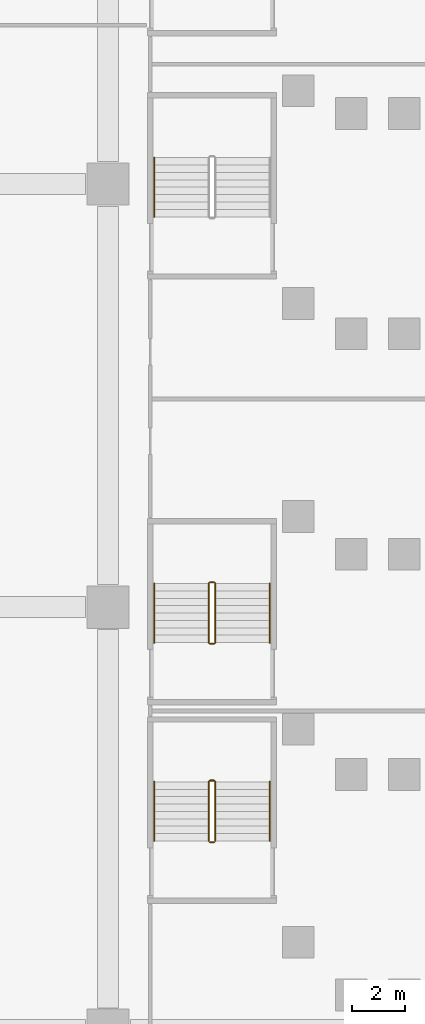
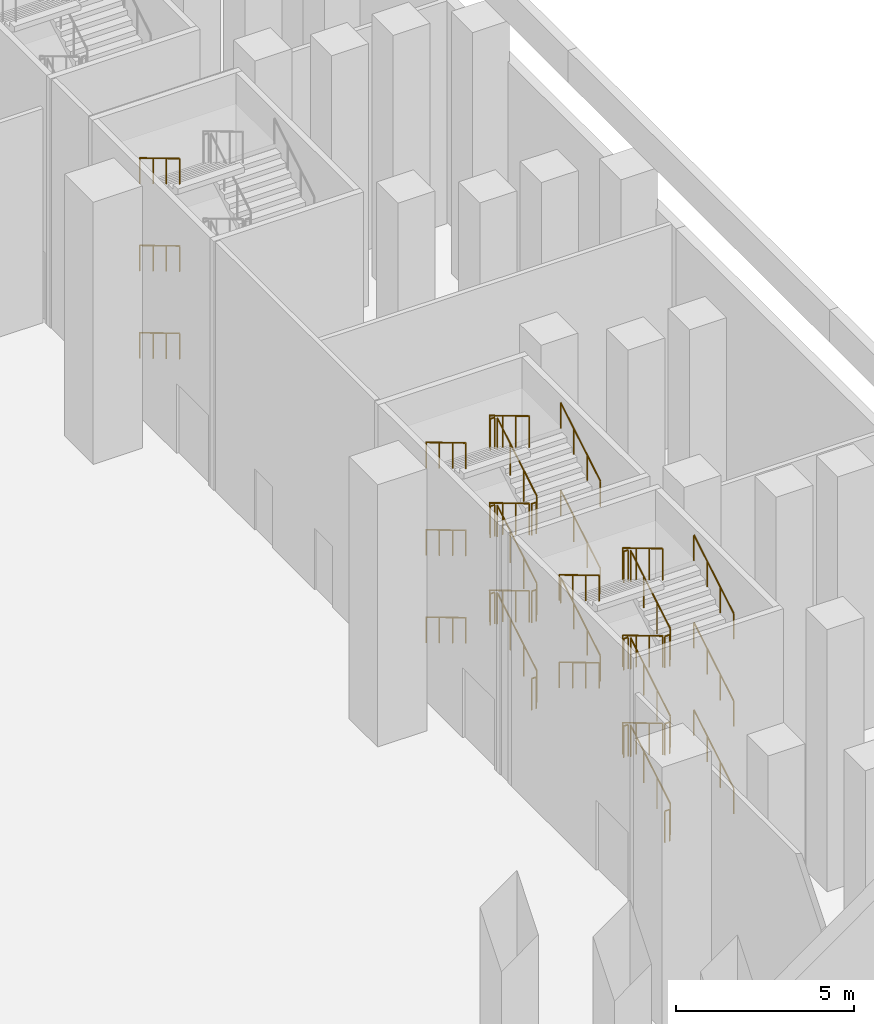
# One storey, part 21 of 25: 38 railings.
"""IFC4 building model written with IfcOpenShell, lengths in metres."""

import ifcopenshell
import ifcopenshell.guid

model = None  # the IFC model being written
_history = None  # IfcOwnerHistory: only IFC2X3 demands one
_inside = {}  # id of a spatial element -> (the spatial element, [elements in it])
_under = {}  # id of a project, library or spatial element -> (it, [spatial elements below it])
_declared = {}  # id of a project -> (the project, [libraries it declares])
_typed = {}  # id of a type object -> (the type object, [elements of that type])
_made_of = {}  # id of a material, layer set ... -> (it, [elements and type objects made of it])


def new_model(schema):
    """Start an empty IFC model of exactly this schema.

    Asked for "IFC4X3", IfcOpenShell would pick the latest addendum, in which some entities
    have other attributes; the version numbers below select the first issue.
    IFC2X3 requires an IfcOwnerHistory on every rooted entity: one is made here for all.
    """
    global model, _history
    if schema == "IFC4X3":
        model = ifcopenshell.file(schema_version=(4, 3, 0, 0))
    else:
        model = ifcopenshell.file(schema=schema)
    _inside.clear()
    _under.clear()
    _declared.clear()
    _typed.clear()
    _made_of.clear()
    _history = None
    if model.schema == "IFC2X3":
        org = make("IfcOrganization", Name="unknown")
        user = make(
            "IfcPersonAndOrganization",
            ThePerson=make("IfcPerson", FamilyName="unknown"),
            TheOrganization=org,
        )
        app = make(
            "IfcApplication",
            ApplicationDeveloper=org,
            Version="unknown",
            ApplicationFullName="unknown",
            ApplicationIdentifier="unknown",
        )
        _history = make(
            "IfcOwnerHistory",
            OwningUser=user,
            OwningApplication=app,
            ChangeAction="ADDED",
            CreationDate=0,
        )
    return model


def make(cls, **values):
    """One entity of the class cls with the attributes given. An attribute that is None is left unset."""
    return model.create_entity(
        cls, **{name: value for name, value in values.items() if value is not None}
    )


def rooted(cls, **values):
    """An entity with a GlobalId (a new one), such as an element, a storey or a relation."""
    return make(cls, GlobalId=ifcopenshell.guid.new(), OwnerHistory=_history, **values)


def si_unit(unit_type, name, prefix=None):
    """IfcSIUnit, for example si_unit("LENGTHUNIT", "METRE", prefix="MILLI")."""
    return make("IfcSIUnit", UnitType=unit_type, Prefix=prefix, Name=name)


def assignment(units):
    """IfcUnitAssignment: the units of a project."""
    return None if units is None else make("IfcUnitAssignment", Units=units)


def point(xyz):
    """IfcCartesianPoint."""
    return None if xyz is None else make("IfcCartesianPoint", Coordinates=xyz)


def direction(xyz):
    """IfcDirection."""
    return None if xyz is None else make("IfcDirection", DirectionRatios=xyz)


def frame(location, z_axis=None, x_axis=None):
    """IfcAxis2Placement3D, a coordinate frame: its origin and axes. An axis left out is left unset."""
    return make(
        "IfcAxis2Placement3D",
        Location=point(location),
        Axis=direction(z_axis),
        RefDirection=direction(x_axis),
    )


def frame_2d(location, x_axis=None):
    """IfcAxis2Placement2D, a coordinate frame in the plane: its origin and x axis."""
    return make(
        "IfcAxis2Placement2D", Location=point(location), RefDirection=direction(x_axis)
    )


def origin():
    """The frame at (0, 0, 0) with its axes left unset."""
    return frame((0.0, 0.0, 0.0))


def origin_2d():
    """The frame at (0, 0) in the plane with its x axis left unset."""
    return frame_2d((0.0, 0.0))


def place(relative_to, where):
    """IfcLocalPlacement: puts the frame where relative to a parent placement (None: the world)."""
    return make(
        "IfcLocalPlacement", PlacementRelTo=relative_to, RelativePlacement=where
    )


def context(
    kind, dimensions, precision=None, world=None, true_north=None, identifier=None
):
    """IfcGeometricRepresentationContext, for example the 3D "Model" context."""
    return make(
        "IfcGeometricRepresentationContext",
        ContextIdentifier=identifier,
        ContextType=kind,
        CoordinateSpaceDimension=dimensions,
        Precision=precision,
        WorldCoordinateSystem=world,
        TrueNorth=true_north,
    )


def subcontext(parent, identifier, kind, view, scale=None):
    """IfcGeometricRepresentationSubContext, for example "Body" below "Model"."""
    return make(
        "IfcGeometricRepresentationSubContext",
        ContextIdentifier=identifier,
        ContextType=kind,
        ParentContext=parent,
        TargetScale=scale,
        TargetView=view,
    )


def project(units=None, contexts=None):
    """IfcProject with its units and contexts."""
    return rooted(
        "IfcProject",
        Name="project",
        RepresentationContexts=contexts,
        UnitsInContext=assignment(units),
    )


def spatial(cls, under=None, at=None, **own):
    """A site, building, storey or space (cls), placed at a placement, below another one or the project."""
    s = rooted(cls, ObjectPlacement=at, **own)
    if under is not None:
        _under.setdefault(under.id(), (under, []))[1].append(s)
    return s


def profile(cls, at=None, kind="AREA", **sizes):
    """A parametric profile (cls). Its sizes go by their IFC names, for example OverallWidth=200.0."""
    return make(cls, ProfileType=kind, Position=at, **sizes)


def circle(**sizes):
    """IfcCircleProfileDef."""
    return profile("IfcCircleProfileDef", **sizes)


def extrude(swept, where, along, depth):
    """IfcExtrudedAreaSolid: the profile swept, set in the frame where, extruded along a direction by depth."""
    return make(
        "IfcExtrudedAreaSolid",
        SweptArea=swept,
        Position=where,
        ExtrudedDirection=direction(along),
        Depth=depth,
    )


def shape(context_of_items, identifier, shape_type, items):
    """IfcShapeRepresentation: the items that make up one representation, for example the "Body"."""
    return make(
        "IfcShapeRepresentation",
        ContextOfItems=context_of_items,
        RepresentationIdentifier=identifier,
        RepresentationType=shape_type,
        Items=items,
    )


def material(Name=None, Category=None):
    """IfcMaterial."""
    return make("IfcMaterial", Name=Name, Category=Category)


def made_of(thing, what):
    """Note that an element or type object is made of a material, layer set ...; save() writes the relation."""
    if what is not None:
        _made_of.setdefault(what.id(), (what, []))[1].append(thing)
    return thing


def type_object(cls, material=None, **own):
    """A type object (cls), such as IfcWallType, which elements share."""
    return made_of(rooted(cls, **own), material)


def element(
    cls,
    number,
    at=None,
    inside=None,
    cuts=None,
    type_object=None,
    material=None,
    context=None,
    identifier="Body",
    shape_type=None,
    held_by="IfcProductDefinitionShape",
    body=None,
    shapes=None,
    **own,
):
    """One element of the class cls, such as IfcWall. Its Tag is "e" and its number.

    at: its placement. inside: the storey or other place that contains it. cuts: it is an
    opening in that element (IfcRelVoidsElement). A single representation is given by context,
    identifier, shape_type and body (its items); several are given by shapes. held_by: the class
    of the entity that holds the representations. save() writes the other relations.
    """
    e = rooted(cls, Tag="e%d" % number, ObjectPlacement=at, **own)
    if body is not None:
        shapes = [shape(context, identifier, shape_type, body)]
    if shapes is not None:
        e.Representation = make(held_by, Representations=shapes)
    if inside is not None:
        _inside.setdefault(inside.id(), (inside, []))[1].append(e)
    if cuts is not None:
        rooted(
            "IfcRelVoidsElement", RelatingBuildingElement=cuts, RelatedOpeningElement=e
        )
    if type_object is not None:
        _typed.setdefault(type_object.id(), (type_object, []))[1].append(e)
    return made_of(e, material)


def aggregate(whole, parts):
    """IfcRelAggregates: a whole, such as a stair, and the parts it consists of."""
    return rooted("IfcRelAggregates", RelatingObject=whole, RelatedObjects=parts)


def save(model, path):
    """Write the relations noted so far, then the file.

    IfcRelAggregates (storeys below a building ...), IfcRelContainedInSpatialStructure (elements
    in a storey), IfcRelDefinesByType, IfcRelAssociatesMaterial and IfcRelDeclares: one each for
    every whole, place, type object, material and project.
    """
    for whole, parts in _under.values():
        aggregate(whole, parts)
    for where, things in _inside.values():
        rooted(
            "IfcRelContainedInSpatialStructure",
            RelatedElements=things,
            RelatingStructure=where,
        )
    for kind, things in _typed.values():
        rooted("IfcRelDefinesByType", RelatedObjects=things, RelatingType=kind)
    for what, things in _made_of.values():
        rooted("IfcRelAssociatesMaterial", RelatedObjects=things, RelatingMaterial=what)
    for by, libraries in _declared.values():
        rooted("IfcRelDeclares", RelatingContext=by, RelatedDefinitions=libraries)
    model.write(path)


model = new_model("IFC4")

# Units and contexts
model_context = context("Model", 3, precision=1e-05, world=origin(), true_north=direction((0.0, 1.0)))
body_context = subcontext(model_context, "Body", "Model", "MODEL_VIEW")
ifc_project = project(units=[si_unit("LENGTHUNIT", "METRE"), si_unit("AREAUNIT", "SQUARE_METRE"), si_unit("VOLUMEUNIT", "CUBIC_METRE"), si_unit("PLANEANGLEUNIT", "RADIAN"), si_unit("MASSUNIT", "GRAM", prefix="KILO")], contexts=[model_context])

# Site, building, storey
site_placement = place(None, origin())
site = spatial("IfcSite", under=ifc_project, at=site_placement, CompositionType="ELEMENT")
building_placement = place(site_placement, origin())
building = spatial("IfcBuilding", under=site, at=building_placement, Name="Calabash Gate Tower", CompositionType="ELEMENT")
storey_placement = place(building_placement, frame((0.0, 0.0, 20.0)))
storey = spatial("IfcBuildingStorey", under=building, at=storey_placement, Name="L02", CompositionType="ELEMENT", Elevation=20.0)

# Railings
ifc_material_1 = material(Name="Black powder-coated steel balusters", Category="steel")
railing_type_1 = type_object("IfcRailingType", Name="Stair guard RL1100", PredefinedType="GUARDRAIL", material=ifc_material_1)
railing_1_placement = place(storey_placement, frame((36.06005859375, -32.840087890625, 0.166748046875)))
element("IfcRailing", 1, at=railing_1_placement, inside=storey, type_object=railing_type_1, Name="L02 PS6 stair guard 1", PredefinedType="GUARDRAIL", context=body_context, shape_type="SweptSolid", body=[
    extrude(circle(Radius=0.02392578125, at=origin_2d()), frame((0.0, 0.0, 1.076171875), z_axis=(0.0, 0.8585185817, 0.512782453753), x_axis=(-1.0, 0.0, 0.0)), (0.0, 0.0, 1.0), 2.60009765625),
    extrude(circle(Radius=0.02099609375, at=origin_2d()), origin(), (0.0, 0.0, 1.0), 1.052001953125),
    extrude(circle(Radius=0.02099609375, at=origin_2d()), frame((0.0, 0.744140625, 0.4443359375)), (0.0, 0.0, 1.0), 1.052001953125),
    extrude(circle(Radius=0.02099609375, at=origin_2d()), frame((0.0, 1.488037109375, 0.888916015625)), (0.0, 0.0, 1.0), 1.052001953125),
    extrude(circle(Radius=0.02099609375, at=origin_2d()), frame((0.0, 2.232177734375, 1.333251953125)), (0.0, 0.0, 1.0), 1.052001953125),
])
railing_2_placement = place(storey_placement, frame((36.010009765625, -30.55810546875, 1.5)))
element("IfcRailing", 2, at=railing_2_placement, inside=storey, type_object=railing_type_1, Name="L02 PS6 stair guard 2", PredefinedType="GUARDRAIL", context=body_context, shape_type="SweptSolid", body=[
    extrude(circle(Radius=0.02392578125, at=origin_2d()), frame((0.0, 0.0, 1.076171875), z_axis=(-1.0, 0.0, 0.0), x_axis=(0.0, -1.0, 0.0)), (0.0, 0.0, 1.0), 0.14990234375),
    extrude(circle(Radius=0.02099609375, at=origin_2d()), origin(), (0.0, 0.0, 1.0), 1.052001953125),
    extrude(circle(Radius=0.02099609375, at=origin_2d()), frame((-0.14990234375, 0.0, 0.0)), (0.0, 0.0, 1.0), 1.052001953125),
])
railing_3_placement = place(storey_placement, frame((35.81005859375, -30.60791015625, 1.666748046875)))
element("IfcRailing", 3, at=railing_3_placement, inside=storey, type_object=railing_type_1, Name="L02 PS6 stair guard 3", PredefinedType="GUARDRAIL", context=body_context, shape_type="SweptSolid", body=[
    extrude(circle(Radius=0.02392578125, at=origin_2d()), frame((0.0, 0.0, 1.076171875), z_axis=(0.0, -0.8585185817, 0.512782453753), x_axis=(1.0, 0.0, 0.0)), (0.0, 0.0, 1.0), 2.60009765625),
    extrude(circle(Radius=0.02099609375, at=origin_2d()), origin(), (0.0, 0.0, 1.0), 1.052001953125),
    extrude(circle(Radius=0.02099609375, at=origin_2d()), frame((0.0, -0.744140625, 0.4443359375)), (0.0, 0.0, 1.0), 1.052001953125),
    extrude(circle(Radius=0.02099609375, at=origin_2d()), frame((0.0, -1.488037109375, 0.888916015625)), (0.0, 0.0, 1.0), 1.052001953125),
    extrude(circle(Radius=0.02099609375, at=origin_2d()), frame((0.0, -2.232177734375, 1.333251953125)), (0.0, 0.0, 1.0), 1.052001953125),
])
railing_4_placement = place(storey_placement, frame((36.010009765625, -32.889892578125, 3.0)))
element("IfcRailing", 4, at=railing_4_placement, inside=storey, type_object=railing_type_1, Name="L02 PS6 stair guard 4", PredefinedType="GUARDRAIL", context=body_context, shape_type="SweptSolid", body=[
    extrude(circle(Radius=0.02392578125, at=origin_2d()), frame((0.0, 0.0, 1.076171875), z_axis=(-1.0, 0.0, 0.0), x_axis=(0.0, -1.0, 0.0)), (0.0, 0.0, 1.0), 0.14990234375),
    extrude(circle(Radius=0.02099609375, at=origin_2d()), origin(), (0.0, 0.0, 1.0), 1.052001953125),
    extrude(circle(Radius=0.02099609375, at=origin_2d()), frame((-0.14990234375, 0.0, 0.0)), (0.0, 0.0, 1.0), 1.052001953125),
])
railing_5_placement = place(storey_placement, frame((36.06005859375, -32.840087890625, 3.166748046875)))
element("IfcRailing", 5, at=railing_5_placement, inside=storey, type_object=railing_type_1, Name="L02 PS6 stair guard 5", PredefinedType="GUARDRAIL", context=body_context, shape_type="SweptSolid", body=[
    extrude(circle(Radius=0.02392578125, at=origin_2d()), frame((0.0, 0.0, 1.076171875), z_axis=(0.0, 0.8585185817, 0.512782453753), x_axis=(-1.0, 0.0, 0.0)), (0.0, 0.0, 1.0), 2.60009765625),
    extrude(circle(Radius=0.02099609375, at=origin_2d()), origin(), (0.0, 0.0, 1.0), 1.052001953125),
    extrude(circle(Radius=0.02099609375, at=origin_2d()), frame((0.0, 0.744140625, 0.4443359375)), (0.0, 0.0, 1.0), 1.052001953125),
    extrude(circle(Radius=0.02099609375, at=origin_2d()), frame((0.0, 1.488037109375, 0.888916015625)), (0.0, 0.0, 1.0), 1.052001953125),
    extrude(circle(Radius=0.02099609375, at=origin_2d()), frame((0.0, 2.232177734375, 1.333251953125)), (0.0, 0.0, 1.0), 1.052001953125),
])
railing_6_placement = place(storey_placement, frame((36.010009765625, -30.55810546875, 4.5)))
element("IfcRailing", 6, at=railing_6_placement, inside=storey, type_object=railing_type_1, Name="L02 PS6 stair guard 6", PredefinedType="GUARDRAIL", context=body_context, shape_type="SweptSolid", body=[
    extrude(circle(Radius=0.02392578125, at=origin_2d()), frame((0.0, 0.0, 1.076171875), z_axis=(-1.0, 0.0, 0.0), x_axis=(0.0, -1.0, 0.0)), (0.0, 0.0, 1.0), 0.14990234375),
    extrude(circle(Radius=0.02099609375, at=origin_2d()), origin(), (0.0, 0.0, 1.0), 1.052001953125),
    extrude(circle(Radius=0.02099609375, at=origin_2d()), frame((-0.14990234375, 0.0, 0.0)), (0.0, 0.0, 1.0), 1.052001953125),
])
railing_7_placement = place(storey_placement, frame((35.81005859375, -30.60791015625, 4.666748046875)))
element("IfcRailing", 7, at=railing_7_placement, inside=storey, type_object=railing_type_1, Name="L02 PS6 stair guard 7", PredefinedType="GUARDRAIL", context=body_context, shape_type="SweptSolid", body=[
    extrude(circle(Radius=0.02392578125, at=origin_2d()), frame((0.0, 0.0, 1.076171875), z_axis=(0.0, -0.8585185817, 0.512782453753), x_axis=(1.0, 0.0, 0.0)), (0.0, 0.0, 1.0), 2.60009765625),
    extrude(circle(Radius=0.02099609375, at=origin_2d()), origin(), (0.0, 0.0, 1.0), 1.052001953125),
    extrude(circle(Radius=0.02099609375, at=origin_2d()), frame((0.0, -0.744140625, 0.4443359375)), (0.0, 0.0, 1.0), 1.052001953125),
    extrude(circle(Radius=0.02099609375, at=origin_2d()), frame((0.0, -1.488037109375, 0.888916015625)), (0.0, 0.0, 1.0), 1.052001953125),
    extrude(circle(Radius=0.02099609375, at=origin_2d()), frame((0.0, -2.232177734375, 1.333251953125)), (0.0, 0.0, 1.0), 1.052001953125),
])
railing_8_placement = place(storey_placement, frame((36.010009765625, -32.889892578125, 6.0)))
element("IfcRailing", 8, at=railing_8_placement, inside=storey, type_object=railing_type_1, Name="L02 PS6 stair guard 8", PredefinedType="GUARDRAIL", context=body_context, shape_type="SweptSolid", body=[
    extrude(circle(Radius=0.02392578125, at=origin_2d()), frame((0.0, 0.0, 1.076171875), z_axis=(-1.0, 0.0, 0.0), x_axis=(0.0, -1.0, 0.0)), (0.0, 0.0, 1.0), 0.14990234375),
    extrude(circle(Radius=0.02099609375, at=origin_2d()), origin(), (0.0, 0.0, 1.0), 1.052001953125),
    extrude(circle(Radius=0.02099609375, at=origin_2d()), frame((-0.14990234375, 0.0, 0.0)), (0.0, 0.0, 1.0), 1.052001953125),
])
railing_9_placement = place(storey_placement, frame((36.06005859375, -32.840087890625, 6.166748046875)))
element("IfcRailing", 9, at=railing_9_placement, inside=storey, type_object=railing_type_1, Name="L02 PS6 stair guard 9", PredefinedType="GUARDRAIL", context=body_context, shape_type="SweptSolid", body=[
    extrude(circle(Radius=0.02392578125, at=origin_2d()), frame((0.0, 0.0, 1.076171875), z_axis=(0.0, 0.8585185817, 0.512782453753), x_axis=(-1.0, 0.0, 0.0)), (0.0, 0.0, 1.0), 2.60009765625),
    extrude(circle(Radius=0.02099609375, at=origin_2d()), origin(), (0.0, 0.0, 1.0), 1.052001953125),
    extrude(circle(Radius=0.02099609375, at=origin_2d()), frame((0.0, 0.744140625, 0.4443359375)), (0.0, 0.0, 1.0), 1.052001953125),
    extrude(circle(Radius=0.02099609375, at=origin_2d()), frame((0.0, 1.488037109375, 0.888916015625)), (0.0, 0.0, 1.0), 1.052001953125),
    extrude(circle(Radius=0.02099609375, at=origin_2d()), frame((0.0, 2.232177734375, 1.333251953125)), (0.0, 0.0, 1.0), 1.052001953125),
])
railing_10_placement = place(storey_placement, frame((36.010009765625, -30.55810546875, 7.5)))
element("IfcRailing", 10, at=railing_10_placement, inside=storey, type_object=railing_type_1, Name="L02 PS6 stair guard 10", PredefinedType="GUARDRAIL", context=body_context, shape_type="SweptSolid", body=[
    extrude(circle(Radius=0.02392578125, at=origin_2d()), frame((0.0, 0.0, 1.076171875), z_axis=(-1.0, 0.0, 0.0), x_axis=(0.0, -1.0, 0.0)), (0.0, 0.0, 1.0), 0.14990234375),
    extrude(circle(Radius=0.02099609375, at=origin_2d()), origin(), (0.0, 0.0, 1.0), 1.052001953125),
    extrude(circle(Radius=0.02099609375, at=origin_2d()), frame((-0.14990234375, 0.0, 0.0)), (0.0, 0.0, 1.0), 1.052001953125),
])
railing_11_placement = place(storey_placement, frame((35.81005859375, -30.60791015625, 7.666748046875)))
element("IfcRailing", 11, at=railing_11_placement, inside=storey, type_object=railing_type_1, Name="L02 PS6 stair guard 11", PredefinedType="GUARDRAIL", context=body_context, shape_type="SweptSolid", body=[
    extrude(circle(Radius=0.02392578125, at=origin_2d()), frame((0.0, 0.0, 1.076171875), z_axis=(0.0, -0.8585185817, 0.512782453753), x_axis=(1.0, 0.0, 0.0)), (0.0, 0.0, 1.0), 2.60009765625),
    extrude(circle(Radius=0.02099609375, at=origin_2d()), origin(), (0.0, 0.0, 1.0), 1.052001953125),
    extrude(circle(Radius=0.02099609375, at=origin_2d()), frame((0.0, -0.744140625, 0.4443359375)), (0.0, 0.0, 1.0), 1.052001953125),
    extrude(circle(Radius=0.02099609375, at=origin_2d()), frame((0.0, -1.488037109375, 0.888916015625)), (0.0, 0.0, 1.0), 1.052001953125),
    extrude(circle(Radius=0.02099609375, at=origin_2d()), frame((0.0, -2.232177734375, 1.333251953125)), (0.0, 0.0, 1.0), 1.052001953125),
])
railing_12_placement = place(storey_placement, frame((36.010009765625, -32.889892578125, 0.0)))
element("IfcRailing", 12, at=railing_12_placement, inside=storey, type_object=railing_type_1, Name="L02 PS6 stair guard 12", PredefinedType="GUARDRAIL", context=body_context, shape_type="SweptSolid", body=[
    extrude(circle(Radius=0.02392578125, at=origin_2d()), frame((0.0, 0.0, 1.076171875), z_axis=(-1.0, 0.0, 0.0), x_axis=(0.0, -1.0, 0.0)), (0.0, 0.0, 1.0), 0.14990234375),
    extrude(circle(Radius=0.02099609375, at=origin_2d()), origin(), (0.0, 0.0, 1.0), 1.052001953125),
    extrude(circle(Radius=0.02099609375, at=origin_2d()), frame((-0.14990234375, 0.0, 0.0)), (0.0, 0.0, 1.0), 1.052001953125),
])
railing_13_placement = place(storey_placement, frame((36.06005859375, -25.340087890625, 0.166748046875)))
element("IfcRailing", 13, at=railing_13_placement, inside=storey, type_object=railing_type_1, Name="L02 PS7 stair guard 1", PredefinedType="GUARDRAIL", context=body_context, shape_type="SweptSolid", body=[
    extrude(circle(Radius=0.02392578125, at=origin_2d()), frame((0.0, 0.0, 1.076171875), z_axis=(0.0, 0.8585185817, 0.512782453753), x_axis=(-1.0, 0.0, 0.0)), (0.0, 0.0, 1.0), 2.60009765625),
    extrude(circle(Radius=0.02099609375, at=origin_2d()), origin(), (0.0, 0.0, 1.0), 1.052001953125),
    extrude(circle(Radius=0.02099609375, at=origin_2d()), frame((0.0, 0.744140625, 0.4443359375)), (0.0, 0.0, 1.0), 1.052001953125),
    extrude(circle(Radius=0.02099609375, at=origin_2d()), frame((0.0, 1.488037109375, 0.888916015625)), (0.0, 0.0, 1.0), 1.052001953125),
    extrude(circle(Radius=0.02099609375, at=origin_2d()), frame((0.0, 2.232177734375, 1.333251953125)), (0.0, 0.0, 1.0), 1.052001953125),
])
railing_14_placement = place(storey_placement, frame((36.010009765625, -23.05810546875, 1.5)))
element("IfcRailing", 14, at=railing_14_placement, inside=storey, type_object=railing_type_1, Name="L02 PS7 stair guard 2", PredefinedType="GUARDRAIL", context=body_context, shape_type="SweptSolid", body=[
    extrude(circle(Radius=0.02392578125, at=origin_2d()), frame((0.0, 0.0, 1.076171875), z_axis=(-1.0, 0.0, 0.0), x_axis=(0.0, -1.0, 0.0)), (0.0, 0.0, 1.0), 0.14990234375),
    extrude(circle(Radius=0.02099609375, at=origin_2d()), origin(), (0.0, 0.0, 1.0), 1.052001953125),
    extrude(circle(Radius=0.02099609375, at=origin_2d()), frame((-0.14990234375, 0.0, 0.0)), (0.0, 0.0, 1.0), 1.052001953125),
])
railing_15_placement = place(storey_placement, frame((35.81005859375, -23.10791015625, 1.666748046875)))
element("IfcRailing", 15, at=railing_15_placement, inside=storey, type_object=railing_type_1, Name="L02 PS7 stair guard 3", PredefinedType="GUARDRAIL", context=body_context, shape_type="SweptSolid", body=[
    extrude(circle(Radius=0.02392578125, at=origin_2d()), frame((0.0, 0.0, 1.076171875), z_axis=(0.0, -0.8585185817, 0.512782453753), x_axis=(1.0, 0.0, 0.0)), (0.0, 0.0, 1.0), 2.60009765625),
    extrude(circle(Radius=0.02099609375, at=origin_2d()), origin(), (0.0, 0.0, 1.0), 1.052001953125),
    extrude(circle(Radius=0.02099609375, at=origin_2d()), frame((0.0, -0.744140625, 0.4443359375)), (0.0, 0.0, 1.0), 1.052001953125),
    extrude(circle(Radius=0.02099609375, at=origin_2d()), frame((0.0, -1.488037109375, 0.888916015625)), (0.0, 0.0, 1.0), 1.052001953125),
    extrude(circle(Radius=0.02099609375, at=origin_2d()), frame((0.0, -2.232177734375, 1.333251953125)), (0.0, 0.0, 1.0), 1.052001953125),
])
railing_16_placement = place(storey_placement, frame((36.010009765625, -25.389892578125, 3.0)))
element("IfcRailing", 16, at=railing_16_placement, inside=storey, type_object=railing_type_1, Name="L02 PS7 stair guard 4", PredefinedType="GUARDRAIL", context=body_context, shape_type="SweptSolid", body=[
    extrude(circle(Radius=0.02392578125, at=origin_2d()), frame((0.0, 0.0, 1.076171875), z_axis=(-1.0, 0.0, 0.0), x_axis=(0.0, -1.0, 0.0)), (0.0, 0.0, 1.0), 0.14990234375),
    extrude(circle(Radius=0.02099609375, at=origin_2d()), origin(), (0.0, 0.0, 1.0), 1.052001953125),
    extrude(circle(Radius=0.02099609375, at=origin_2d()), frame((-0.14990234375, 0.0, 0.0)), (0.0, 0.0, 1.0), 1.052001953125),
])
railing_17_placement = place(storey_placement, frame((36.06005859375, -25.340087890625, 3.166748046875)))
element("IfcRailing", 17, at=railing_17_placement, inside=storey, type_object=railing_type_1, Name="L02 PS7 stair guard 5", PredefinedType="GUARDRAIL", context=body_context, shape_type="SweptSolid", body=[
    extrude(circle(Radius=0.02392578125, at=origin_2d()), frame((0.0, 0.0, 1.076171875), z_axis=(0.0, 0.8585185817, 0.512782453753), x_axis=(-1.0, 0.0, 0.0)), (0.0, 0.0, 1.0), 2.60009765625),
    extrude(circle(Radius=0.02099609375, at=origin_2d()), origin(), (0.0, 0.0, 1.0), 1.052001953125),
    extrude(circle(Radius=0.02099609375, at=origin_2d()), frame((0.0, 0.744140625, 0.4443359375)), (0.0, 0.0, 1.0), 1.052001953125),
    extrude(circle(Radius=0.02099609375, at=origin_2d()), frame((0.0, 1.488037109375, 0.888916015625)), (0.0, 0.0, 1.0), 1.052001953125),
    extrude(circle(Radius=0.02099609375, at=origin_2d()), frame((0.0, 2.232177734375, 1.333251953125)), (0.0, 0.0, 1.0), 1.052001953125),
])
railing_18_placement = place(storey_placement, frame((36.010009765625, -23.05810546875, 4.5)))
element("IfcRailing", 18, at=railing_18_placement, inside=storey, type_object=railing_type_1, Name="L02 PS7 stair guard 6", PredefinedType="GUARDRAIL", context=body_context, shape_type="SweptSolid", body=[
    extrude(circle(Radius=0.02392578125, at=origin_2d()), frame((0.0, 0.0, 1.076171875), z_axis=(-1.0, 0.0, 0.0), x_axis=(0.0, -1.0, 0.0)), (0.0, 0.0, 1.0), 0.14990234375),
    extrude(circle(Radius=0.02099609375, at=origin_2d()), origin(), (0.0, 0.0, 1.0), 1.052001953125),
    extrude(circle(Radius=0.02099609375, at=origin_2d()), frame((-0.14990234375, 0.0, 0.0)), (0.0, 0.0, 1.0), 1.052001953125),
])
railing_19_placement = place(storey_placement, frame((35.81005859375, -23.10791015625, 4.666748046875)))
element("IfcRailing", 19, at=railing_19_placement, inside=storey, type_object=railing_type_1, Name="L02 PS7 stair guard 7", PredefinedType="GUARDRAIL", context=body_context, shape_type="SweptSolid", body=[
    extrude(circle(Radius=0.02392578125, at=origin_2d()), frame((0.0, 0.0, 1.076171875), z_axis=(0.0, -0.8585185817, 0.512782453753), x_axis=(1.0, 0.0, 0.0)), (0.0, 0.0, 1.0), 2.60009765625),
    extrude(circle(Radius=0.02099609375, at=origin_2d()), origin(), (0.0, 0.0, 1.0), 1.052001953125),
    extrude(circle(Radius=0.02099609375, at=origin_2d()), frame((0.0, -0.744140625, 0.4443359375)), (0.0, 0.0, 1.0), 1.052001953125),
    extrude(circle(Radius=0.02099609375, at=origin_2d()), frame((0.0, -1.488037109375, 0.888916015625)), (0.0, 0.0, 1.0), 1.052001953125),
    extrude(circle(Radius=0.02099609375, at=origin_2d()), frame((0.0, -2.232177734375, 1.333251953125)), (0.0, 0.0, 1.0), 1.052001953125),
])
railing_20_placement = place(storey_placement, frame((36.010009765625, -25.389892578125, 6.0)))
element("IfcRailing", 20, at=railing_20_placement, inside=storey, type_object=railing_type_1, Name="L02 PS7 stair guard 8", PredefinedType="GUARDRAIL", context=body_context, shape_type="SweptSolid", body=[
    extrude(circle(Radius=0.02392578125, at=origin_2d()), frame((0.0, 0.0, 1.076171875), z_axis=(-1.0, 0.0, 0.0), x_axis=(0.0, -1.0, 0.0)), (0.0, 0.0, 1.0), 0.14990234375),
    extrude(circle(Radius=0.02099609375, at=origin_2d()), origin(), (0.0, 0.0, 1.0), 1.052001953125),
    extrude(circle(Radius=0.02099609375, at=origin_2d()), frame((-0.14990234375, 0.0, 0.0)), (0.0, 0.0, 1.0), 1.052001953125),
])
railing_21_placement = place(storey_placement, frame((36.06005859375, -25.340087890625, 6.166748046875)))
element("IfcRailing", 21, at=railing_21_placement, inside=storey, type_object=railing_type_1, Name="L02 PS7 stair guard 9", PredefinedType="GUARDRAIL", context=body_context, shape_type="SweptSolid", body=[
    extrude(circle(Radius=0.02392578125, at=origin_2d()), frame((0.0, 0.0, 1.076171875), z_axis=(0.0, 0.8585185817, 0.512782453753), x_axis=(-1.0, 0.0, 0.0)), (0.0, 0.0, 1.0), 2.60009765625),
    extrude(circle(Radius=0.02099609375, at=origin_2d()), origin(), (0.0, 0.0, 1.0), 1.052001953125),
    extrude(circle(Radius=0.02099609375, at=origin_2d()), frame((0.0, 0.744140625, 0.4443359375)), (0.0, 0.0, 1.0), 1.052001953125),
    extrude(circle(Radius=0.02099609375, at=origin_2d()), frame((0.0, 1.488037109375, 0.888916015625)), (0.0, 0.0, 1.0), 1.052001953125),
    extrude(circle(Radius=0.02099609375, at=origin_2d()), frame((0.0, 2.232177734375, 1.333251953125)), (0.0, 0.0, 1.0), 1.052001953125),
])
railing_22_placement = place(storey_placement, frame((36.010009765625, -23.05810546875, 7.5)))
element("IfcRailing", 22, at=railing_22_placement, inside=storey, type_object=railing_type_1, Name="L02 PS7 stair guard 10", PredefinedType="GUARDRAIL", context=body_context, shape_type="SweptSolid", body=[
    extrude(circle(Radius=0.02392578125, at=origin_2d()), frame((0.0, 0.0, 1.076171875), z_axis=(-1.0, 0.0, 0.0), x_axis=(0.0, -1.0, 0.0)), (0.0, 0.0, 1.0), 0.14990234375),
    extrude(circle(Radius=0.02099609375, at=origin_2d()), origin(), (0.0, 0.0, 1.0), 1.052001953125),
    extrude(circle(Radius=0.02099609375, at=origin_2d()), frame((-0.14990234375, 0.0, 0.0)), (0.0, 0.0, 1.0), 1.052001953125),
])
railing_23_placement = place(storey_placement, frame((35.81005859375, -23.10791015625, 7.666748046875)))
element("IfcRailing", 23, at=railing_23_placement, inside=storey, type_object=railing_type_1, Name="L02 PS7 stair guard 11", PredefinedType="GUARDRAIL", context=body_context, shape_type="SweptSolid", body=[
    extrude(circle(Radius=0.02392578125, at=origin_2d()), frame((0.0, 0.0, 1.076171875), z_axis=(0.0, -0.8585185817, 0.512782453753), x_axis=(1.0, 0.0, 0.0)), (0.0, 0.0, 1.0), 2.60009765625),
    extrude(circle(Radius=0.02099609375, at=origin_2d()), origin(), (0.0, 0.0, 1.0), 1.052001953125),
    extrude(circle(Radius=0.02099609375, at=origin_2d()), frame((0.0, -0.744140625, 0.4443359375)), (0.0, 0.0, 1.0), 1.052001953125),
    extrude(circle(Radius=0.02099609375, at=origin_2d()), frame((0.0, -1.488037109375, 0.888916015625)), (0.0, 0.0, 1.0), 1.052001953125),
    extrude(circle(Radius=0.02099609375, at=origin_2d()), frame((0.0, -2.232177734375, 1.333251953125)), (0.0, 0.0, 1.0), 1.052001953125),
])
railing_24_placement = place(storey_placement, frame((36.010009765625, -25.389892578125, 0.0)))
element("IfcRailing", 24, at=railing_24_placement, inside=storey, type_object=railing_type_1, Name="L02 PS7 stair guard 12", PredefinedType="GUARDRAIL", context=body_context, shape_type="SweptSolid", body=[
    extrude(circle(Radius=0.02392578125, at=origin_2d()), frame((0.0, 0.0, 1.076171875), z_axis=(-1.0, 0.0, 0.0), x_axis=(0.0, -1.0, 0.0)), (0.0, 0.0, 1.0), 0.14990234375),
    extrude(circle(Radius=0.02099609375, at=origin_2d()), origin(), (0.0, 0.0, 1.0), 1.052001953125),
    extrude(circle(Radius=0.02099609375, at=origin_2d()), frame((-0.14990234375, 0.0, 0.0)), (0.0, 0.0, 1.0), 1.052001953125),
])
ifc_material_2 = material(Name="Black powder-coated steel tube 48 mm", Category="steel")
railing_type_2 = type_object("IfcRailingType", Name="Stair handrail RL900", PredefinedType="HANDRAIL", material=ifc_material_2)
for number, where, name in (
    (25, (38.1201171875, -32.840087890625, 0.166748046875), "L02 PS6 stair handrail 1"),
    (26, (38.1201171875, -32.840087890625, 3.166748046875), "L02 PS6 stair handrail 3"),
):
    element("IfcRailing", number, at=place(storey_placement, frame(where)), inside=storey, type_object=railing_type_2, Name=name, PredefinedType="HANDRAIL", context=body_context, shape_type="SweptSolid", body=[
        extrude(circle(Radius=0.02392578125, at=origin_2d()), frame((0.0, 0.0, 0.8759765625), z_axis=(0.0, 0.8585185817, 0.512782453753), x_axis=(-1.0, 0.0, 0.0)), (0.0, 0.0, 1.0), 2.60009765625),
        extrude(circle(Radius=0.02099609375, at=origin_2d()), origin(), (0.0, 0.0, 1.0), 0.851806640625),
        extrude(circle(Radius=0.02099609375, at=origin_2d()), frame((0.0, 0.744140625, 0.4443359375)), (0.0, 0.0, 1.0), 0.851806640625),
        extrude(circle(Radius=0.02099609375, at=origin_2d()), frame((0.0, 1.488037109375, 0.888916015625)), (0.0, 0.0, 1.0), 0.851806640625),
        extrude(circle(Radius=0.02099609375, at=origin_2d()), frame((0.0, 2.232177734375, 1.333251953125)), (0.0, 0.0, 1.0), 0.851806640625),
    ])
railing_25_placement = place(storey_placement, frame((33.75, -30.60791015625, 4.666748046875)))
element("IfcRailing", 27, at=railing_25_placement, inside=storey, type_object=railing_type_2, Name="L02 PS6 stair handrail 4", PredefinedType="HANDRAIL", context=body_context, shape_type="SweptSolid", body=[
    extrude(circle(Radius=0.02392578125, at=origin_2d()), frame((0.0, 0.0, 0.8759765625), z_axis=(0.0, -0.8585185817, 0.512782453753), x_axis=(1.0, 0.0, 0.0)), (0.0, 0.0, 1.0), 2.60009765625),
    extrude(circle(Radius=0.02099609375, at=origin_2d()), origin(), (0.0, 0.0, 1.0), 0.851806640625),
    extrude(circle(Radius=0.02099609375, at=origin_2d()), frame((0.0, -0.744140625, 0.4443359375)), (0.0, 0.0, 1.0), 0.851806640625),
    extrude(circle(Radius=0.02099609375, at=origin_2d()), frame((0.0, -1.488037109375, 0.888916015625)), (0.0, 0.0, 1.0), 0.851806640625),
    extrude(circle(Radius=0.02099609375, at=origin_2d()), frame((0.0, -2.232177734375, 1.333251953125)), (0.0, 0.0, 1.0), 0.851806640625),
])
railing_26_placement = place(storey_placement, frame((38.1201171875, -32.840087890625, 6.166748046875)))
element("IfcRailing", 28, at=railing_26_placement, inside=storey, type_object=railing_type_2, Name="L02 PS6 stair handrail 5", PredefinedType="HANDRAIL", context=body_context, shape_type="SweptSolid", body=[
    extrude(circle(Radius=0.02392578125, at=origin_2d()), frame((0.0, 0.0, 0.8759765625), z_axis=(0.0, 0.8585185817, 0.512782453753), x_axis=(-1.0, 0.0, 0.0)), (0.0, 0.0, 1.0), 2.60009765625),
    extrude(circle(Radius=0.02099609375, at=origin_2d()), origin(), (0.0, 0.0, 1.0), 0.851806640625),
    extrude(circle(Radius=0.02099609375, at=origin_2d()), frame((0.0, 0.744140625, 0.4443359375)), (0.0, 0.0, 1.0), 0.851806640625),
    extrude(circle(Radius=0.02099609375, at=origin_2d()), frame((0.0, 1.488037109375, 0.888916015625)), (0.0, 0.0, 1.0), 0.851806640625),
    extrude(circle(Radius=0.02099609375, at=origin_2d()), frame((0.0, 2.232177734375, 1.333251953125)), (0.0, 0.0, 1.0), 0.851806640625),
])
railing_27_placement = place(storey_placement, frame((33.75, -30.60791015625, 7.666748046875)))
element("IfcRailing", 29, at=railing_27_placement, inside=storey, type_object=railing_type_2, Name="L02 PS6 stair handrail 6", PredefinedType="HANDRAIL", context=body_context, shape_type="SweptSolid", body=[
    extrude(circle(Radius=0.02392578125, at=origin_2d()), frame((0.0, 0.0, 0.8759765625), z_axis=(0.0, -0.8585185817, 0.512782453753), x_axis=(1.0, 0.0, 0.0)), (0.0, 0.0, 1.0), 2.60009765625),
    extrude(circle(Radius=0.02099609375, at=origin_2d()), origin(), (0.0, 0.0, 1.0), 0.851806640625),
    extrude(circle(Radius=0.02099609375, at=origin_2d()), frame((0.0, -0.744140625, 0.4443359375)), (0.0, 0.0, 1.0), 0.851806640625),
    extrude(circle(Radius=0.02099609375, at=origin_2d()), frame((0.0, -1.488037109375, 0.888916015625)), (0.0, 0.0, 1.0), 0.851806640625),
    extrude(circle(Radius=0.02099609375, at=origin_2d()), frame((0.0, -2.232177734375, 1.333251953125)), (0.0, 0.0, 1.0), 0.851806640625),
])
railing_28_placement = place(storey_placement, frame((38.1201171875, -25.340087890625, 0.166748046875)))
element("IfcRailing", 30, at=railing_28_placement, inside=storey, type_object=railing_type_2, Name="L02 PS7 stair handrail 1", PredefinedType="HANDRAIL", context=body_context, shape_type="SweptSolid", body=[
    extrude(circle(Radius=0.02392578125, at=origin_2d()), frame((0.0, 0.0, 0.8759765625), z_axis=(0.0, 0.8585185817, 0.512782453753), x_axis=(-1.0, 0.0, 0.0)), (0.0, 0.0, 1.0), 2.60009765625),
    extrude(circle(Radius=0.02099609375, at=origin_2d()), origin(), (0.0, 0.0, 1.0), 0.851806640625),
    extrude(circle(Radius=0.02099609375, at=origin_2d()), frame((0.0, 0.744140625, 0.4443359375)), (0.0, 0.0, 1.0), 0.851806640625),
    extrude(circle(Radius=0.02099609375, at=origin_2d()), frame((0.0, 1.488037109375, 0.888916015625)), (0.0, 0.0, 1.0), 0.851806640625),
    extrude(circle(Radius=0.02099609375, at=origin_2d()), frame((0.0, 2.232177734375, 1.333251953125)), (0.0, 0.0, 1.0), 0.851806640625),
])
railing_29_placement = place(storey_placement, frame((33.75, -23.10791015625, 1.666748046875)))
element("IfcRailing", 31, at=railing_29_placement, inside=storey, type_object=railing_type_2, Name="L02 PS7 stair handrail 2", PredefinedType="HANDRAIL", context=body_context, shape_type="SweptSolid", body=[
    extrude(circle(Radius=0.02392578125, at=origin_2d()), frame((0.0, 0.0, 0.8759765625), z_axis=(0.0, -0.8585185817, 0.512782453753), x_axis=(1.0, 0.0, 0.0)), (0.0, 0.0, 1.0), 2.60009765625),
    extrude(circle(Radius=0.02099609375, at=origin_2d()), origin(), (0.0, 0.0, 1.0), 0.851806640625),
    extrude(circle(Radius=0.02099609375, at=origin_2d()), frame((0.0, -0.744140625, 0.4443359375)), (0.0, 0.0, 1.0), 0.851806640625),
    extrude(circle(Radius=0.02099609375, at=origin_2d()), frame((0.0, -1.488037109375, 0.888916015625)), (0.0, 0.0, 1.0), 0.851806640625),
    extrude(circle(Radius=0.02099609375, at=origin_2d()), frame((0.0, -2.232177734375, 1.333251953125)), (0.0, 0.0, 1.0), 0.851806640625),
])
railing_30_placement = place(storey_placement, frame((38.1201171875, -25.340087890625, 3.166748046875)))
element("IfcRailing", 32, at=railing_30_placement, inside=storey, type_object=railing_type_2, Name="L02 PS7 stair handrail 3", PredefinedType="HANDRAIL", context=body_context, shape_type="SweptSolid", body=[
    extrude(circle(Radius=0.02392578125, at=origin_2d()), frame((0.0, 0.0, 0.8759765625), z_axis=(0.0, 0.8585185817, 0.512782453753), x_axis=(-1.0, 0.0, 0.0)), (0.0, 0.0, 1.0), 2.60009765625),
    extrude(circle(Radius=0.02099609375, at=origin_2d()), origin(), (0.0, 0.0, 1.0), 0.851806640625),
    extrude(circle(Radius=0.02099609375, at=origin_2d()), frame((0.0, 0.744140625, 0.4443359375)), (0.0, 0.0, 1.0), 0.851806640625),
    extrude(circle(Radius=0.02099609375, at=origin_2d()), frame((0.0, 1.488037109375, 0.888916015625)), (0.0, 0.0, 1.0), 0.851806640625),
    extrude(circle(Radius=0.02099609375, at=origin_2d()), frame((0.0, 2.232177734375, 1.333251953125)), (0.0, 0.0, 1.0), 0.851806640625),
])
railing_31_placement = place(storey_placement, frame((33.75, -23.10791015625, 4.666748046875)))
element("IfcRailing", 33, at=railing_31_placement, inside=storey, type_object=railing_type_2, Name="L02 PS7 stair handrail 4", PredefinedType="HANDRAIL", context=body_context, shape_type="SweptSolid", body=[
    extrude(circle(Radius=0.02392578125, at=origin_2d()), frame((0.0, 0.0, 0.8759765625), z_axis=(0.0, -0.8585185817, 0.512782453753), x_axis=(1.0, 0.0, 0.0)), (0.0, 0.0, 1.0), 2.60009765625),
    extrude(circle(Radius=0.02099609375, at=origin_2d()), origin(), (0.0, 0.0, 1.0), 0.851806640625),
    extrude(circle(Radius=0.02099609375, at=origin_2d()), frame((0.0, -0.744140625, 0.4443359375)), (0.0, 0.0, 1.0), 0.851806640625),
    extrude(circle(Radius=0.02099609375, at=origin_2d()), frame((0.0, -1.488037109375, 0.888916015625)), (0.0, 0.0, 1.0), 0.851806640625),
    extrude(circle(Radius=0.02099609375, at=origin_2d()), frame((0.0, -2.232177734375, 1.333251953125)), (0.0, 0.0, 1.0), 0.851806640625),
])
railing_32_placement = place(storey_placement, frame((38.1201171875, -25.340087890625, 6.166748046875)))
element("IfcRailing", 34, at=railing_32_placement, inside=storey, type_object=railing_type_2, Name="L02 PS7 stair handrail 5", PredefinedType="HANDRAIL", context=body_context, shape_type="SweptSolid", body=[
    extrude(circle(Radius=0.02392578125, at=origin_2d()), frame((0.0, 0.0, 0.8759765625), z_axis=(0.0, 0.8585185817, 0.512782453753), x_axis=(-1.0, 0.0, 0.0)), (0.0, 0.0, 1.0), 2.60009765625),
    extrude(circle(Radius=0.02099609375, at=origin_2d()), origin(), (0.0, 0.0, 1.0), 0.851806640625),
    extrude(circle(Radius=0.02099609375, at=origin_2d()), frame((0.0, 0.744140625, 0.4443359375)), (0.0, 0.0, 1.0), 0.851806640625),
    extrude(circle(Radius=0.02099609375, at=origin_2d()), frame((0.0, 1.488037109375, 0.888916015625)), (0.0, 0.0, 1.0), 0.851806640625),
    extrude(circle(Radius=0.02099609375, at=origin_2d()), frame((0.0, 2.232177734375, 1.333251953125)), (0.0, 0.0, 1.0), 0.851806640625),
])
railing_33_placement = place(storey_placement, frame((33.75, -23.10791015625, 7.666748046875)))
element("IfcRailing", 35, at=railing_33_placement, inside=storey, type_object=railing_type_2, Name="L02 PS7 stair handrail 6", PredefinedType="HANDRAIL", context=body_context, shape_type="SweptSolid", body=[
    extrude(circle(Radius=0.02392578125, at=origin_2d()), frame((0.0, 0.0, 0.8759765625), z_axis=(0.0, -0.8585185817, 0.512782453753), x_axis=(1.0, 0.0, 0.0)), (0.0, 0.0, 1.0), 2.60009765625),
    extrude(circle(Radius=0.02099609375, at=origin_2d()), origin(), (0.0, 0.0, 1.0), 0.851806640625),
    extrude(circle(Radius=0.02099609375, at=origin_2d()), frame((0.0, -0.744140625, 0.4443359375)), (0.0, 0.0, 1.0), 0.851806640625),
    extrude(circle(Radius=0.02099609375, at=origin_2d()), frame((0.0, -1.488037109375, 0.888916015625)), (0.0, 0.0, 1.0), 0.851806640625),
    extrude(circle(Radius=0.02099609375, at=origin_2d()), frame((0.0, -2.232177734375, 1.333251953125)), (0.0, 0.0, 1.0), 0.851806640625),
])
for number, where, name in (
    (36, (33.75, -7.008056640625, 1.666748046875), "L02 PS8 stair handrail 2"),
    (37, (33.75, -7.008056640625, 4.666748046875), "L02 PS8 stair handrail 4"),
    (38, (33.75, -7.008056640625, 7.666748046875), "L02 PS8 stair handrail 6"),
):
    element("IfcRailing", number, at=place(storey_placement, frame(where)), inside=storey, type_object=railing_type_2, Name=name, PredefinedType="HANDRAIL", context=body_context, shape_type="SweptSolid", body=[
        extrude(circle(Radius=0.02392578125, at=origin_2d()), frame((0.0, 0.0, 0.8759765625), z_axis=(0.0, -0.858493888361, 0.512823793955), x_axis=(1.0, 0.0, 0.0)), (0.0, 0.0, 1.0), 2.599853515625),
        extrude(circle(Radius=0.02099609375, at=origin_2d()), origin(), (0.0, 0.0, 1.0), 0.851806640625),
        extrude(circle(Radius=0.02099609375, at=origin_2d()), frame((0.0, -0.743896484375, 0.4443359375)), (0.0, 0.0, 1.0), 0.851806640625),
        extrude(circle(Radius=0.02099609375, at=origin_2d()), frame((0.0, -1.488037109375, 0.888916015625)), (0.0, 0.0, 1.0), 0.851806640625),
        extrude(circle(Radius=0.02099609375, at=origin_2d()), frame((0.0, -2.23193359375, 1.333251953125)), (0.0, 0.0, 1.0), 0.851806640625),
    ])

save(model, "model.ifc")
